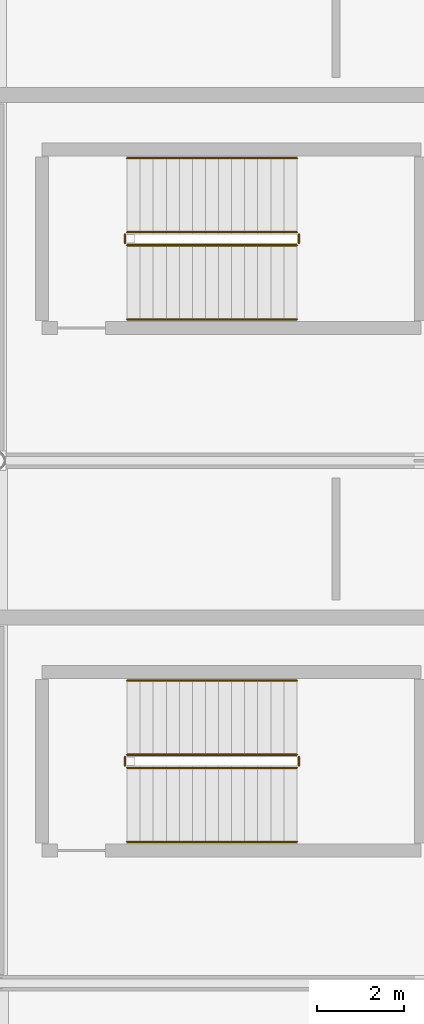
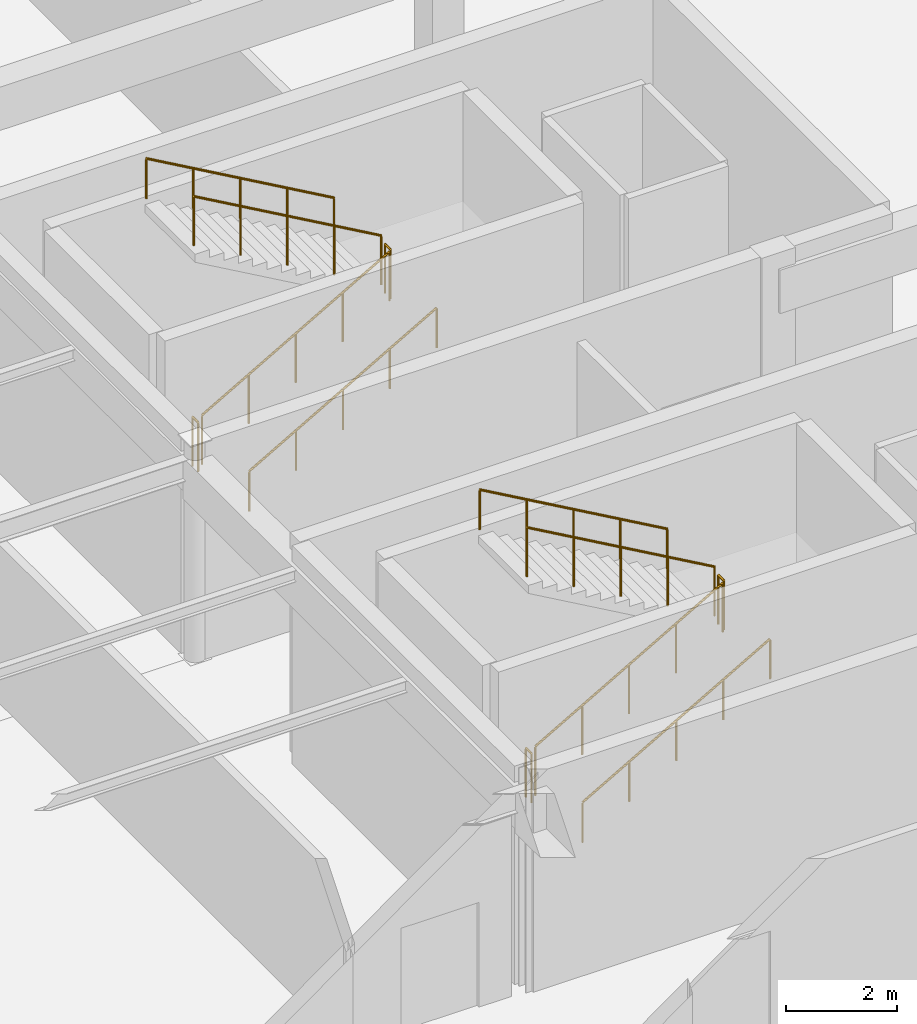
# One storey, part 183 of 199: 12 railings.
"""IFC4 building model written with IfcOpenShell, lengths in metres."""

from ifc_helpers import new_model, si_unit, direction, frame, origin, origin_2d, place, context, subcontext, project, spatial, circle, extrude, material, type_object, element, save


model = new_model("IFC4")

# Units and contexts
model_context = context("Model", 3, precision=1e-05, world=origin(), true_north=direction((0.0, 1.0)))
body_context = subcontext(model_context, "Body", "Model", "MODEL_VIEW")
ifc_project = project(units=[si_unit("LENGTHUNIT", "METRE"), si_unit("AREAUNIT", "SQUARE_METRE"), si_unit("VOLUMEUNIT", "CUBIC_METRE"), si_unit("PLANEANGLEUNIT", "RADIAN"), si_unit("MASSUNIT", "GRAM", prefix="KILO")], contexts=[model_context])

# Site, building, storey
site_placement = place(None, origin())
site = spatial("IfcSite", under=ifc_project, at=site_placement, CompositionType="ELEMENT")
building_placement = place(site_placement, origin())
building = spatial("IfcBuilding", under=site, at=building_placement, Name="Tarnwether General Hospital", CompositionType="ELEMENT")
storey_placement = place(building_placement, origin())
storey = spatial("IfcBuildingStorey", under=building, at=storey_placement, Name="L00", CompositionType="ELEMENT", Elevation=0.0)

# Railings
ifc_material_1 = material(Name="Anodised aluminium", Category="aluminium")
railing_type_1 = type_object("IfcRailingType", Name="RL-GRD-INT", PredefinedType="GUARDRAIL", material=ifc_material_1)
railing_1_placement = place(storey_placement, frame((27.0, 74.550048828125, 0.17138671875)))
element("IfcRailing", 1, at=railing_1_placement, inside=storey, type_object=railing_type_1, Name="L00 ST-03 stair guard 1", PredefinedType="GUARDRAIL", context=body_context, shape_type="SweptSolid", body=[
    extrude(circle(Radius=0.02392578125, at=origin_2d()), frame((0.0, 0.0, 1.076171875), z_axis=(0.868243142124, 0.0, 0.496138938357), x_axis=(0.0, 1.0, 0.0)), (0.0, 0.0, 1.0), 4.49169921875),
    extrude(circle(Radius=0.02099609375, at=origin_2d()), origin(), (0.0, 0.0, 1.0), 1.052001953125),
    extrude(circle(Radius=0.02099609375, at=origin_2d()), frame((0.97509765625, 0.0, 0.55712890625)), (0.0, 0.0, 1.0), 1.052001953125),
    extrude(circle(Radius=0.02099609375, at=origin_2d()), frame((1.949951171875, 0.0, 1.1142578125)), (0.0, 0.0, 1.0), 1.052001953125),
    extrude(circle(Radius=0.02099609375, at=origin_2d()), frame((2.9248046875, 0.0, 1.67138671875)), (0.0, 0.0, 1.0), 1.052001953125),
    extrude(circle(Radius=0.02099609375, at=origin_2d()), frame((3.89990234375, 0.0, 2.228515625)), (0.0, 0.0, 1.0), 1.052001953125),
])
railing_2_placement = place(storey_placement, frame((30.949951171875, 74.60009765625, 2.39990234375)))
element("IfcRailing", 2, at=railing_2_placement, inside=storey, type_object=railing_type_1, Name="L00 ST-03 stair guard 2", PredefinedType="GUARDRAIL", context=body_context, shape_type="SweptSolid", body=[
    extrude(circle(Radius=0.02392578125, at=origin_2d()), frame((0.0, 0.0, 1.076171875), z_axis=(0.0, 1.0, 0.0), x_axis=(-1.0, 0.0, 0.0)), (0.0, 0.0, 1.0), 0.199951171875),
    extrude(circle(Radius=0.02099609375, at=origin_2d()), origin(), (0.0, 0.0, 1.0), 1.052001953125),
    extrude(circle(Radius=0.02099609375, at=origin_2d()), frame((0.0, 0.199951171875, 0.0)), (0.0, 0.0, 1.0), 1.052001953125),
])
railing_3_placement = place(storey_placement, frame((30.89990234375, 74.85009765625, 2.571533203125)))
element("IfcRailing", 3, at=railing_3_placement, inside=storey, type_object=railing_type_1, Name="L00 ST-03 stair guard 3", PredefinedType="GUARDRAIL", context=body_context, shape_type="SweptSolid", body=[
    extrude(circle(Radius=0.02392578125, at=origin_2d()), frame((0.0, 0.0, 1.076171875), z_axis=(-0.868243142124, 0.0, 0.496138938357), x_axis=(0.0, -1.0, 0.0)), (0.0, 0.0, 1.0), 4.49169921875),
    extrude(circle(Radius=0.02099609375, at=origin_2d()), origin(), (0.0, 0.0, 1.0), 1.052001953125),
    extrude(circle(Radius=0.02099609375, at=origin_2d()), frame((-0.97509765625, 0.0, 0.55712890625)), (0.0, 0.0, 1.0), 1.052001953125),
    extrude(circle(Radius=0.02099609375, at=origin_2d()), frame((-1.949951171875, 0.0, 1.1142578125)), (0.0, 0.0, 1.0), 1.052001953125),
    extrude(circle(Radius=0.02099609375, at=origin_2d()), frame((-2.9248046875, 0.0, 1.67138671875)), (0.0, 0.0, 1.0), 1.052001953125),
    extrude(circle(Radius=0.02099609375, at=origin_2d()), frame((-3.89990234375, 0.0, 2.228515625)), (0.0, 0.0, 1.0), 1.052001953125),
])
railing_4_placement = place(storey_placement, frame((26.949951171875, 74.60009765625, 0.0)))
element("IfcRailing", 4, at=railing_4_placement, inside=storey, type_object=railing_type_1, Name="L00 ST-03 stair guard 4", PredefinedType="GUARDRAIL", context=body_context, shape_type="SweptSolid", body=[
    extrude(circle(Radius=0.02392578125, at=origin_2d()), frame((0.0, 0.0, 1.076171875), z_axis=(0.0, 1.0, 0.0), x_axis=(-1.0, 0.0, 0.0)), (0.0, 0.0, 1.0), 0.199951171875),
    extrude(circle(Radius=0.02099609375, at=origin_2d()), origin(), (0.0, 0.0, 1.0), 1.052001953125),
    extrude(circle(Radius=0.02099609375, at=origin_2d()), frame((0.0, 0.199951171875, 0.0)), (0.0, 0.0, 1.0), 1.052001953125),
])
railing_5_placement = place(storey_placement, frame((27.0, 86.550048828125, 0.17138671875)))
element("IfcRailing", 5, at=railing_5_placement, inside=storey, type_object=railing_type_1, Name="L00 ST-04 stair guard 1", PredefinedType="GUARDRAIL", context=body_context, shape_type="SweptSolid", body=[
    extrude(circle(Radius=0.02392578125, at=origin_2d()), frame((0.0, 0.0, 1.076171875), z_axis=(0.868243142124, 0.0, 0.496138938357), x_axis=(0.0, 1.0, 0.0)), (0.0, 0.0, 1.0), 4.49169921875),
    extrude(circle(Radius=0.02099609375, at=origin_2d()), origin(), (0.0, 0.0, 1.0), 1.052001953125),
    extrude(circle(Radius=0.02099609375, at=origin_2d()), frame((0.97509765625, 0.0, 0.55712890625)), (0.0, 0.0, 1.0), 1.052001953125),
    extrude(circle(Radius=0.02099609375, at=origin_2d()), frame((1.949951171875, 0.0, 1.1142578125)), (0.0, 0.0, 1.0), 1.052001953125),
    extrude(circle(Radius=0.02099609375, at=origin_2d()), frame((2.9248046875, 0.0, 1.67138671875)), (0.0, 0.0, 1.0), 1.052001953125),
    extrude(circle(Radius=0.02099609375, at=origin_2d()), frame((3.89990234375, 0.0, 2.228515625)), (0.0, 0.0, 1.0), 1.052001953125),
])
railing_6_placement = place(storey_placement, frame((30.949951171875, 86.60009765625, 2.39990234375)))
element("IfcRailing", 6, at=railing_6_placement, inside=storey, type_object=railing_type_1, Name="L00 ST-04 stair guard 2", PredefinedType="GUARDRAIL", context=body_context, shape_type="SweptSolid", body=[
    extrude(circle(Radius=0.02392578125, at=origin_2d()), frame((0.0, 0.0, 1.076171875), z_axis=(0.0, 1.0, 0.0), x_axis=(-1.0, 0.0, 0.0)), (0.0, 0.0, 1.0), 0.199951171875),
    extrude(circle(Radius=0.02099609375, at=origin_2d()), origin(), (0.0, 0.0, 1.0), 1.052001953125),
    extrude(circle(Radius=0.02099609375, at=origin_2d()), frame((0.0, 0.199951171875, 0.0)), (0.0, 0.0, 1.0), 1.052001953125),
])
railing_7_placement = place(storey_placement, frame((30.89990234375, 86.85009765625, 2.571533203125)))
element("IfcRailing", 7, at=railing_7_placement, inside=storey, type_object=railing_type_1, Name="L00 ST-04 stair guard 3", PredefinedType="GUARDRAIL", context=body_context, shape_type="SweptSolid", body=[
    extrude(circle(Radius=0.02392578125, at=origin_2d()), frame((0.0, 0.0, 1.076171875), z_axis=(-0.868243142124, 0.0, 0.496138938357), x_axis=(0.0, -1.0, 0.0)), (0.0, 0.0, 1.0), 4.49169921875),
    extrude(circle(Radius=0.02099609375, at=origin_2d()), origin(), (0.0, 0.0, 1.0), 1.052001953125),
    extrude(circle(Radius=0.02099609375, at=origin_2d()), frame((-0.97509765625, 0.0, 0.55712890625)), (0.0, 0.0, 1.0), 1.052001953125),
    extrude(circle(Radius=0.02099609375, at=origin_2d()), frame((-1.949951171875, 0.0, 1.1142578125)), (0.0, 0.0, 1.0), 1.052001953125),
    extrude(circle(Radius=0.02099609375, at=origin_2d()), frame((-2.9248046875, 0.0, 1.67138671875)), (0.0, 0.0, 1.0), 1.052001953125),
    extrude(circle(Radius=0.02099609375, at=origin_2d()), frame((-3.89990234375, 0.0, 2.228515625)), (0.0, 0.0, 1.0), 1.052001953125),
])
railing_8_placement = place(storey_placement, frame((26.949951171875, 86.60009765625, 0.0)))
element("IfcRailing", 8, at=railing_8_placement, inside=storey, type_object=railing_type_1, Name="L00 ST-04 stair guard 4", PredefinedType="GUARDRAIL", context=body_context, shape_type="SweptSolid", body=[
    extrude(circle(Radius=0.02392578125, at=origin_2d()), frame((0.0, 0.0, 1.076171875), z_axis=(0.0, 1.0, 0.0), x_axis=(-1.0, 0.0, 0.0)), (0.0, 0.0, 1.0), 0.199951171875),
    extrude(circle(Radius=0.02099609375, at=origin_2d()), origin(), (0.0, 0.0, 1.0), 1.052001953125),
    extrude(circle(Radius=0.02099609375, at=origin_2d()), frame((0.0, 0.199951171875, 0.0)), (0.0, 0.0, 1.0), 1.052001953125),
])
ifc_material_2 = material(Name="Anodised aluminium", Category="aluminium")
railing_type_2 = type_object("IfcRailingType", Name="RL-HND-INT", PredefinedType="HANDRAIL", material=ifc_material_2)
railing_9_placement = place(storey_placement, frame((27.0, 72.85009765625, 0.17138671875)))
element("IfcRailing", 9, at=railing_9_placement, inside=storey, type_object=railing_type_2, Name="L00 ST-03 stair handrail 1", PredefinedType="HANDRAIL", context=body_context, shape_type="SweptSolid", body=[
    extrude(circle(Radius=0.02392578125, at=origin_2d()), frame((0.0, 0.0, 0.8759765625), z_axis=(0.868243142124, 0.0, 0.496138938357), x_axis=(0.0, 1.0, 0.0)), (0.0, 0.0, 1.0), 4.49169921875),
    extrude(circle(Radius=0.02099609375, at=origin_2d()), origin(), (0.0, 0.0, 1.0), 0.851806640625),
    extrude(circle(Radius=0.02099609375, at=origin_2d()), frame((0.97509765625, 0.0, 0.55712890625)), (0.0, 0.0, 1.0), 0.851806640625),
    extrude(circle(Radius=0.02099609375, at=origin_2d()), frame((1.949951171875, 0.0, 1.1142578125)), (0.0, 0.0, 1.0), 0.851806640625),
    extrude(circle(Radius=0.02099609375, at=origin_2d()), frame((2.9248046875, 0.0, 1.67138671875)), (0.0, 0.0, 1.0), 0.851806640625),
    extrude(circle(Radius=0.02099609375, at=origin_2d()), frame((3.89990234375, 0.0, 2.228515625)), (0.0, 0.0, 1.0), 0.851806640625),
])
railing_10_placement = place(storey_placement, frame((30.89990234375, 76.550048828125, 2.571533203125)))
element("IfcRailing", 10, at=railing_10_placement, inside=storey, type_object=railing_type_2, Name="L00 ST-03 stair handrail 2", PredefinedType="HANDRAIL", context=body_context, shape_type="SweptSolid", body=[
    extrude(circle(Radius=0.02392578125, at=origin_2d()), frame((0.0, 0.0, 0.8759765625), z_axis=(-0.868243142124, 0.0, 0.496138938357), x_axis=(0.0, -1.0, 0.0)), (0.0, 0.0, 1.0), 4.49169921875),
    extrude(circle(Radius=0.02099609375, at=origin_2d()), origin(), (0.0, 0.0, 1.0), 0.851806640625),
    extrude(circle(Radius=0.02099609375, at=origin_2d()), frame((-0.97509765625, 0.0, 0.55712890625)), (0.0, 0.0, 1.0), 0.851806640625),
    extrude(circle(Radius=0.02099609375, at=origin_2d()), frame((-1.949951171875, 0.0, 1.1142578125)), (0.0, 0.0, 1.0), 0.851806640625),
    extrude(circle(Radius=0.02099609375, at=origin_2d()), frame((-2.9248046875, 0.0, 1.67138671875)), (0.0, 0.0, 1.0), 0.851806640625),
    extrude(circle(Radius=0.02099609375, at=origin_2d()), frame((-3.89990234375, 0.0, 2.228515625)), (0.0, 0.0, 1.0), 0.851806640625),
])
railing_11_placement = place(storey_placement, frame((27.0, 84.85009765625, 0.17138671875)))
element("IfcRailing", 11, at=railing_11_placement, inside=storey, type_object=railing_type_2, Name="L00 ST-04 stair handrail 1", PredefinedType="HANDRAIL", context=body_context, shape_type="SweptSolid", body=[
    extrude(circle(Radius=0.02392578125, at=origin_2d()), frame((0.0, 0.0, 0.8759765625), z_axis=(0.868243142124, 0.0, 0.496138938357), x_axis=(0.0, 1.0, 0.0)), (0.0, 0.0, 1.0), 4.49169921875),
    extrude(circle(Radius=0.02099609375, at=origin_2d()), origin(), (0.0, 0.0, 1.0), 0.851806640625),
    extrude(circle(Radius=0.02099609375, at=origin_2d()), frame((0.97509765625, 0.0, 0.55712890625)), (0.0, 0.0, 1.0), 0.851806640625),
    extrude(circle(Radius=0.02099609375, at=origin_2d()), frame((1.949951171875, 0.0, 1.1142578125)), (0.0, 0.0, 1.0), 0.851806640625),
    extrude(circle(Radius=0.02099609375, at=origin_2d()), frame((2.9248046875, 0.0, 1.67138671875)), (0.0, 0.0, 1.0), 0.851806640625),
    extrude(circle(Radius=0.02099609375, at=origin_2d()), frame((3.89990234375, 0.0, 2.228515625)), (0.0, 0.0, 1.0), 0.851806640625),
])
railing_12_placement = place(storey_placement, frame((30.89990234375, 88.550048828125, 2.571533203125)))
element("IfcRailing", 12, at=railing_12_placement, inside=storey, type_object=railing_type_2, Name="L00 ST-04 stair handrail 2", PredefinedType="HANDRAIL", context=body_context, shape_type="SweptSolid", body=[
    extrude(circle(Radius=0.02392578125, at=origin_2d()), frame((0.0, 0.0, 0.8759765625), z_axis=(-0.868243142124, 0.0, 0.496138938357), x_axis=(0.0, -1.0, 0.0)), (0.0, 0.0, 1.0), 4.49169921875),
    extrude(circle(Radius=0.02099609375, at=origin_2d()), origin(), (0.0, 0.0, 1.0), 0.851806640625),
    extrude(circle(Radius=0.02099609375, at=origin_2d()), frame((-0.97509765625, 0.0, 0.55712890625)), (0.0, 0.0, 1.0), 0.851806640625),
    extrude(circle(Radius=0.02099609375, at=origin_2d()), frame((-1.949951171875, 0.0, 1.1142578125)), (0.0, 0.0, 1.0), 0.851806640625),
    extrude(circle(Radius=0.02099609375, at=origin_2d()), frame((-2.9248046875, 0.0, 1.67138671875)), (0.0, 0.0, 1.0), 0.851806640625),
    extrude(circle(Radius=0.02099609375, at=origin_2d()), frame((-3.89990234375, 0.0, 2.228515625)), (0.0, 0.0, 1.0), 0.851806640625),
])

save(model, "model.ifc")
